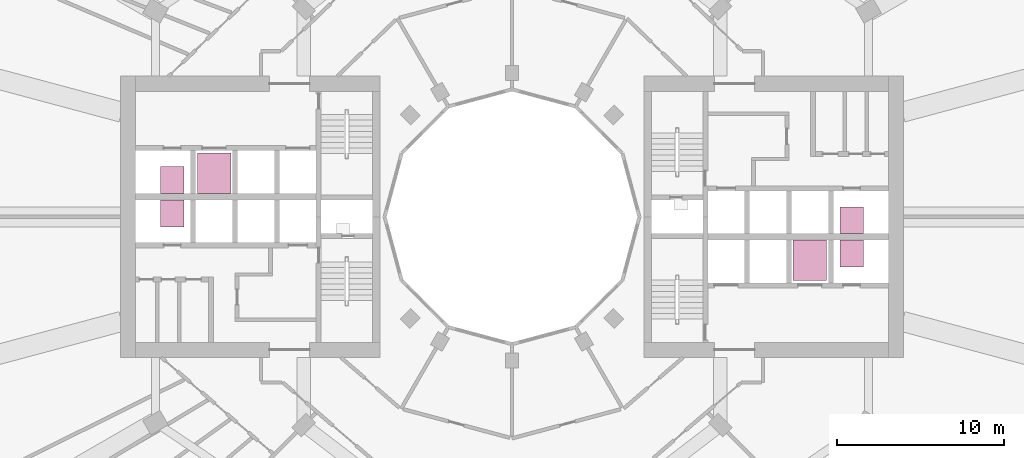
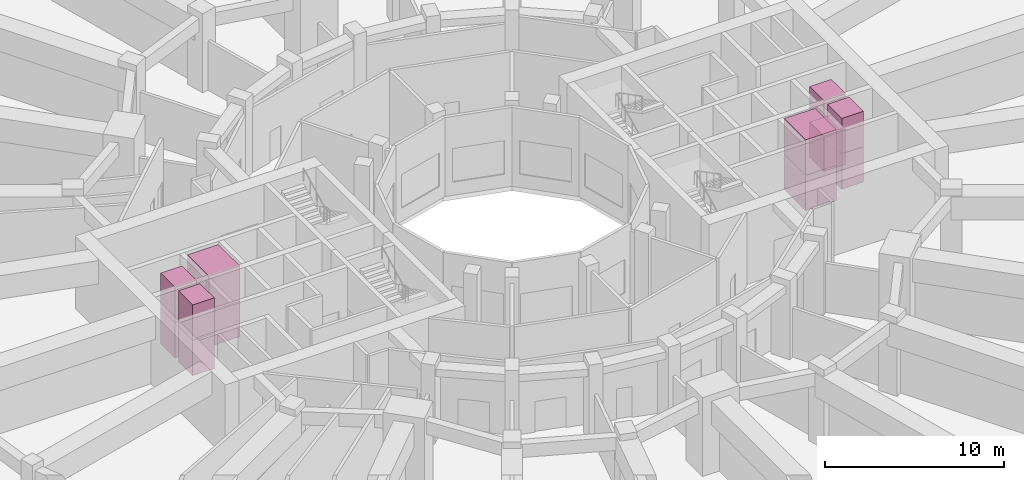
# One storey, part 30 of 30: 12 transport elements.
"""IFC4 building model written with IfcOpenShell, lengths in metres."""

from ifc_helpers import new_model, si_unit, direction, frame, origin, origin_2d, place, context, subcontext, project, spatial, rectangle, extrude, material, type_object, element, save


model = new_model("IFC4")

# Units and contexts
model_context = context("Model", 3, precision=1e-05, world=origin(), true_north=direction((0.0, 1.0)))
body_context = subcontext(model_context, "Body", "Model", "MODEL_VIEW")
ifc_project = project(units=[si_unit("LENGTHUNIT", "METRE"), si_unit("AREAUNIT", "SQUARE_METRE"), si_unit("VOLUMEUNIT", "CUBIC_METRE"), si_unit("PLANEANGLEUNIT", "RADIAN"), si_unit("MASSUNIT", "GRAM", prefix="KILO")], contexts=[model_context])

# Site, building, storey
site_placement = place(None, origin())
site = spatial("IfcSite", under=ifc_project, at=site_placement, CompositionType="ELEMENT")
building_placement = place(site_placement, origin())
building = spatial("IfcBuilding", under=site, at=building_placement, Name="Torre Brocal", CompositionType="ELEMENT")
storey_placement = place(building_placement, frame((0.0, 0.0, 7.0)))
storey = spatial("IfcBuildingStorey", under=building, at=storey_placement, Name="L01", CompositionType="ELEMENT", Elevation=7.0)

# Transport elements
ifc_material_1 = material(Name="Stainless steel AISI 316", Category="steel")
transport_element_type_1 = type_object("IfcTransportElementType", Name="PASSENGER LIFT 2000", PredefinedType="ELEVATOR", material=ifc_material_1)
for number, where, z_axis, x_axis, name in (
    (1, (97.800048828125, 72.39990234375, 0.0), (0.0, 0.0, 1.0), (1.0, 0.0, 0.0), "LOW RISE LIFT E-LR2"),
    (2, (97.800048828125, 72.39990234375, 2.4248046875), (0.0, 0.0, 1.0), (1.0, 0.0, 0.0), "LOW RISE LIFT E-LR2"),
    (3, (62.199951171875, 77.60009765625, 0.0), (0.0, 0.0, 1.0), (1.0, 0.0, 0.0), "LOW RISE LIFT W-LR2"),
    (4, (62.199951171875, 77.60009765625, 2.4248046875), (0.0, 0.0, 1.0), (1.0, 0.0, 0.0), "LOW RISE LIFT W-LR2"),
):
    element("IfcTransportElement", number, at=place(storey_placement, frame(where, z_axis=z_axis, x_axis=x_axis)), inside=storey, type_object=transport_element_type_1, Name=name, PredefinedType="ELEVATOR", context=body_context, shape_type="SweptSolid", body=[
        extrude(rectangle(XDim=2.0, YDim=2.39990234375, at=origin_2d()), origin(), (0.0, 0.0, 1.0), 2.425048828125),
    ])
ifc_material_2 = material(Name="Stainless steel AISI 316", Category="steel")
transport_element_type_2 = type_object("IfcTransportElementType", Name="PASSENGER LIFT 900", PredefinedType="ELEVATOR", material=ifc_material_2)
for number, where, z_axis, x_axis, name in (
    (5, (100.300048828125, 74.800048828125, 0.0), (0.0, 0.0, 1.0), (1.0, 0.0, 0.0), "LOW RISE LIFT E-LR1"),
    (6, (100.300048828125, 74.800048828125, 2.4248046875), (0.0, 0.0, 1.0), (1.0, 0.0, 0.0), "LOW RISE LIFT E-LR1"),
    (7, (100.300048828125, 72.800048828125, 0.0), (0.0, 0.0, 1.0), (1.0, 0.0, 0.0), "LOW RISE LIFT E-LR3"),
    (8, (100.300048828125, 72.800048828125, 2.4248046875), (0.0, 0.0, 1.0), (1.0, 0.0, 0.0), "LOW RISE LIFT E-LR3"),
    (9, (59.699951171875, 75.199951171875, 0.0), (0.0, 0.0, 1.0), (1.0, 0.0, 0.0), "LOW RISE LIFT W-LR1"),
    (10, (59.699951171875, 75.199951171875, 2.4248046875), (0.0, 0.0, 1.0), (1.0, 0.0, 0.0), "LOW RISE LIFT W-LR1"),
    (11, (59.699951171875, 77.199951171875, 0.0), (0.0, 0.0, 1.0), (1.0, 0.0, 0.0), "LOW RISE LIFT W-LR3"),
    (12, (59.699951171875, 77.199951171875, 2.4248046875), (0.0, 0.0, 1.0), (1.0, 0.0, 0.0), "LOW RISE LIFT W-LR3"),
):
    element("IfcTransportElement", number, at=place(storey_placement, frame(where, z_axis=z_axis, x_axis=x_axis)), inside=storey, type_object=transport_element_type_2, Name=name, PredefinedType="ELEVATOR", context=body_context, shape_type="SweptSolid", body=[
        extrude(rectangle(XDim=1.39990234375, YDim=1.60009765625, at=origin_2d()), origin(), (0.0, 0.0, 1.0), 2.425048828125),
    ])

save(model, "model.ifc")
